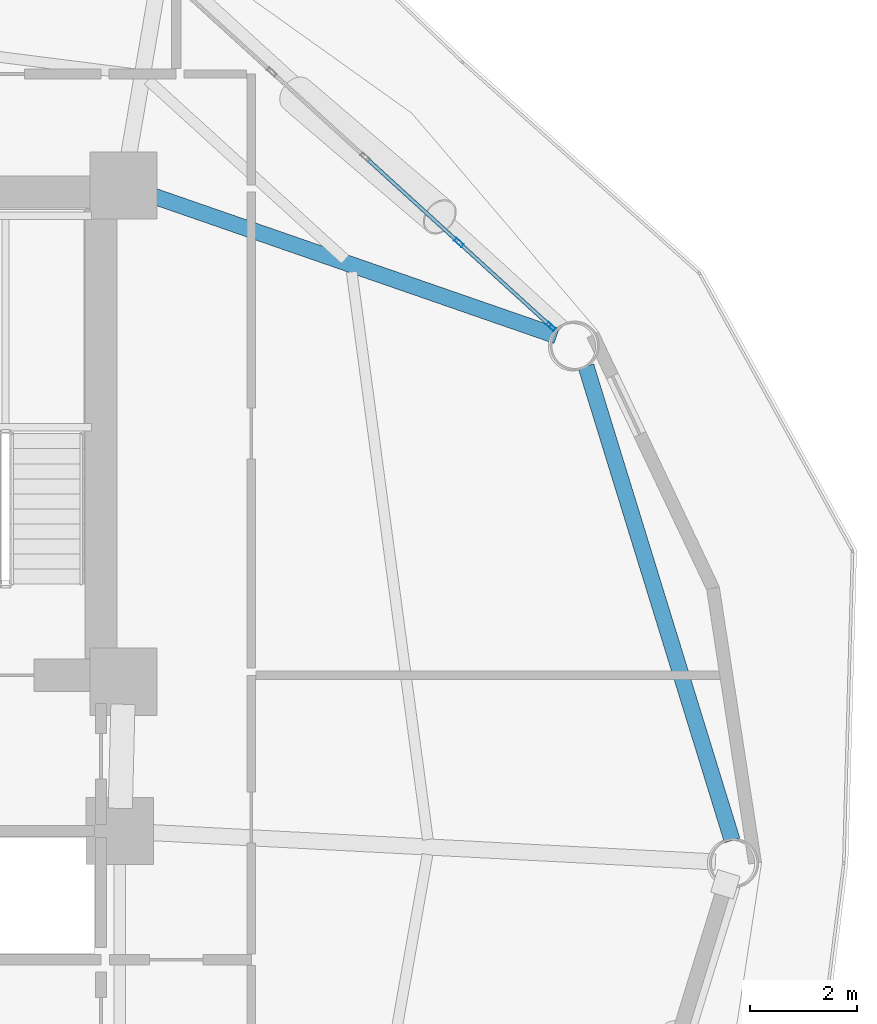
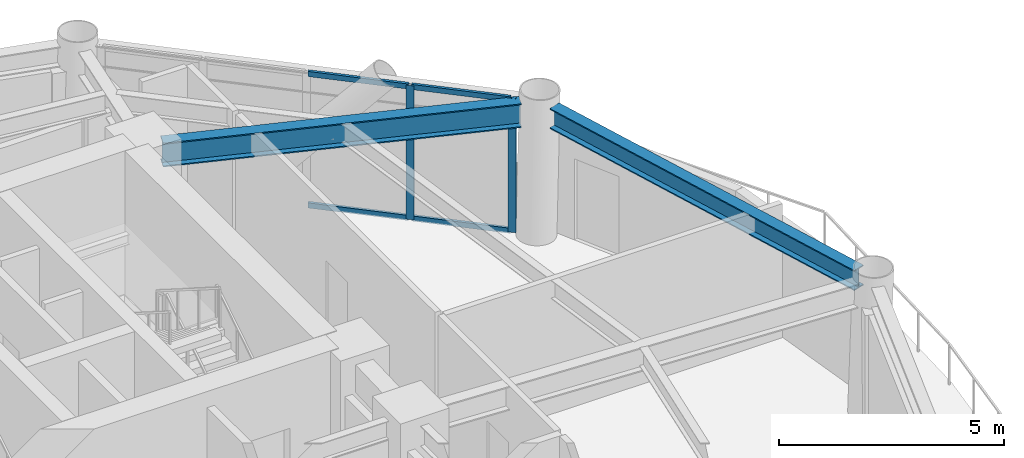
# One storey, part 14 of 25: 6 members, 2 beams, 1 element without a shape of its own.
"""IFC4 building model written with IfcOpenShell, lengths in metres."""

import ifcopenshell
import ifcopenshell.guid

model = None  # the IFC model being written
_history = None  # IfcOwnerHistory: only IFC2X3 demands one
_inside = {}  # id of a spatial element -> (the spatial element, [elements in it])
_under = {}  # id of a project, library or spatial element -> (it, [spatial elements below it])
_declared = {}  # id of a project -> (the project, [libraries it declares])
_typed = {}  # id of a type object -> (the type object, [elements of that type])
_made_of = {}  # id of a material, layer set ... -> (it, [elements and type objects made of it])


def new_model(schema):
    """Start an empty IFC model of exactly this schema.

    Asked for "IFC4X3", IfcOpenShell would pick the latest addendum, in which some entities
    have other attributes; the version numbers below select the first issue.
    IFC2X3 requires an IfcOwnerHistory on every rooted entity: one is made here for all.
    """
    global model, _history
    if schema == "IFC4X3":
        model = ifcopenshell.file(schema_version=(4, 3, 0, 0))
    else:
        model = ifcopenshell.file(schema=schema)
    _inside.clear()
    _under.clear()
    _declared.clear()
    _typed.clear()
    _made_of.clear()
    _history = None
    if model.schema == "IFC2X3":
        org = make("IfcOrganization", Name="unknown")
        user = make(
            "IfcPersonAndOrganization",
            ThePerson=make("IfcPerson", FamilyName="unknown"),
            TheOrganization=org,
        )
        app = make(
            "IfcApplication",
            ApplicationDeveloper=org,
            Version="unknown",
            ApplicationFullName="unknown",
            ApplicationIdentifier="unknown",
        )
        _history = make(
            "IfcOwnerHistory",
            OwningUser=user,
            OwningApplication=app,
            ChangeAction="ADDED",
            CreationDate=0,
        )
    return model


def make(cls, **values):
    """One entity of the class cls with the attributes given. An attribute that is None is left unset."""
    return model.create_entity(
        cls, **{name: value for name, value in values.items() if value is not None}
    )


def rooted(cls, **values):
    """An entity with a GlobalId (a new one), such as an element, a storey or a relation."""
    return make(cls, GlobalId=ifcopenshell.guid.new(), OwnerHistory=_history, **values)


def si_unit(unit_type, name, prefix=None):
    """IfcSIUnit, for example si_unit("LENGTHUNIT", "METRE", prefix="MILLI")."""
    return make("IfcSIUnit", UnitType=unit_type, Prefix=prefix, Name=name)


def assignment(units):
    """IfcUnitAssignment: the units of a project."""
    return None if units is None else make("IfcUnitAssignment", Units=units)


def point(xyz):
    """IfcCartesianPoint."""
    return None if xyz is None else make("IfcCartesianPoint", Coordinates=xyz)


def direction(xyz):
    """IfcDirection."""
    return None if xyz is None else make("IfcDirection", DirectionRatios=xyz)


def frame(location, z_axis=None, x_axis=None):
    """IfcAxis2Placement3D, a coordinate frame: its origin and axes. An axis left out is left unset."""
    return make(
        "IfcAxis2Placement3D",
        Location=point(location),
        Axis=direction(z_axis),
        RefDirection=direction(x_axis),
    )


def frame_2d(location, x_axis=None):
    """IfcAxis2Placement2D, a coordinate frame in the plane: its origin and x axis."""
    return make(
        "IfcAxis2Placement2D", Location=point(location), RefDirection=direction(x_axis)
    )


def origin():
    """The frame at (0, 0, 0) with its axes left unset."""
    return frame((0.0, 0.0, 0.0))


def origin_2d():
    """The frame at (0, 0) in the plane with its x axis left unset."""
    return frame_2d((0.0, 0.0))


def place(relative_to, where):
    """IfcLocalPlacement: puts the frame where relative to a parent placement (None: the world)."""
    return make(
        "IfcLocalPlacement", PlacementRelTo=relative_to, RelativePlacement=where
    )


def context(
    kind, dimensions, precision=None, world=None, true_north=None, identifier=None
):
    """IfcGeometricRepresentationContext, for example the 3D "Model" context."""
    return make(
        "IfcGeometricRepresentationContext",
        ContextIdentifier=identifier,
        ContextType=kind,
        CoordinateSpaceDimension=dimensions,
        Precision=precision,
        WorldCoordinateSystem=world,
        TrueNorth=true_north,
    )


def subcontext(parent, identifier, kind, view, scale=None):
    """IfcGeometricRepresentationSubContext, for example "Body" below "Model"."""
    return make(
        "IfcGeometricRepresentationSubContext",
        ContextIdentifier=identifier,
        ContextType=kind,
        ParentContext=parent,
        TargetScale=scale,
        TargetView=view,
    )


def project(units=None, contexts=None):
    """IfcProject with its units and contexts."""
    return rooted(
        "IfcProject",
        Name="project",
        RepresentationContexts=contexts,
        UnitsInContext=assignment(units),
    )


def spatial(cls, under=None, at=None, **own):
    """A site, building, storey or space (cls), placed at a placement, below another one or the project."""
    s = rooted(cls, ObjectPlacement=at, **own)
    if under is not None:
        _under.setdefault(under.id(), (under, []))[1].append(s)
    return s


def profile(cls, at=None, kind="AREA", **sizes):
    """A parametric profile (cls). Its sizes go by their IFC names, for example OverallWidth=200.0."""
    return make(cls, ProfileType=kind, Position=at, **sizes)


def hollow_rectangle(**sizes):
    """IfcRectangleHollowProfileDef."""
    return profile("IfcRectangleHollowProfileDef", **sizes)


def i_section(**sizes):
    """IfcIShapeProfileDef."""
    return profile("IfcIShapeProfileDef", **sizes)


def extrude(swept, where, along, depth):
    """IfcExtrudedAreaSolid: the profile swept, set in the frame where, extruded along a direction by depth."""
    return make(
        "IfcExtrudedAreaSolid",
        SweptArea=swept,
        Position=where,
        ExtrudedDirection=direction(along),
        Depth=depth,
    )


def shape(context_of_items, identifier, shape_type, items):
    """IfcShapeRepresentation: the items that make up one representation, for example the "Body"."""
    return make(
        "IfcShapeRepresentation",
        ContextOfItems=context_of_items,
        RepresentationIdentifier=identifier,
        RepresentationType=shape_type,
        Items=items,
    )


def material(Name=None, Category=None):
    """IfcMaterial."""
    return make("IfcMaterial", Name=Name, Category=Category)


def layer(
    of_material, thickness, ventilated=None, Name=None, Category=None, Priority=None
):
    """IfcMaterialLayer: one layer of a wall or slab, of a material (None: an air gap)."""
    return make(
        "IfcMaterialLayer",
        Material=of_material,
        LayerThickness=thickness,
        IsVentilated=ventilated,
        Name=Name,
        Category=Category,
        Priority=Priority,
    )


def layer_set(layers, Name=None):
    """IfcMaterialLayerSet."""
    return make("IfcMaterialLayerSet", MaterialLayers=layers, LayerSetName=Name)


def material_profile(
    of_material, cross_section, Name=None, Category=None, Priority=None
):
    """IfcMaterialProfile: a cross section and its material."""
    return make(
        "IfcMaterialProfile",
        Name=Name,
        Material=of_material,
        Profile=cross_section,
        Priority=Priority,
        Category=Category,
    )


def profile_set(profiles, Name=None, composite=None):
    """IfcMaterialProfileSet."""
    return make(
        "IfcMaterialProfileSet",
        Name=Name,
        MaterialProfiles=profiles,
        CompositeProfile=composite,
    )


def made_of(thing, what):
    """Note that an element or type object is made of a material, layer set ...; save() writes the relation."""
    if what is not None:
        _made_of.setdefault(what.id(), (what, []))[1].append(thing)
    return thing


def type_object(cls, material=None, **own):
    """A type object (cls), such as IfcWallType, which elements share."""
    return made_of(rooted(cls, **own), material)


def element(
    cls,
    number,
    at=None,
    inside=None,
    cuts=None,
    type_object=None,
    material=None,
    context=None,
    identifier="Body",
    shape_type=None,
    held_by="IfcProductDefinitionShape",
    body=None,
    shapes=None,
    **own,
):
    """One element of the class cls, such as IfcWall. Its Tag is "e" and its number.

    at: its placement. inside: the storey or other place that contains it. cuts: it is an
    opening in that element (IfcRelVoidsElement). A single representation is given by context,
    identifier, shape_type and body (its items); several are given by shapes. held_by: the class
    of the entity that holds the representations. save() writes the other relations.
    """
    e = rooted(cls, Tag="e%d" % number, ObjectPlacement=at, **own)
    if body is not None:
        shapes = [shape(context, identifier, shape_type, body)]
    if shapes is not None:
        e.Representation = make(held_by, Representations=shapes)
    if inside is not None:
        _inside.setdefault(inside.id(), (inside, []))[1].append(e)
    if cuts is not None:
        rooted(
            "IfcRelVoidsElement", RelatingBuildingElement=cuts, RelatedOpeningElement=e
        )
    if type_object is not None:
        _typed.setdefault(type_object.id(), (type_object, []))[1].append(e)
    return made_of(e, material)


def aggregate(whole, parts):
    """IfcRelAggregates: a whole, such as a stair, and the parts it consists of."""
    return rooted("IfcRelAggregates", RelatingObject=whole, RelatedObjects=parts)


def save(model, path):
    """Write the relations noted so far, then the file.

    IfcRelAggregates (storeys below a building ...), IfcRelContainedInSpatialStructure (elements
    in a storey), IfcRelDefinesByType, IfcRelAssociatesMaterial and IfcRelDeclares: one each for
    every whole, place, type object, material and project.
    """
    for whole, parts in _under.values():
        aggregate(whole, parts)
    for where, things in _inside.values():
        rooted(
            "IfcRelContainedInSpatialStructure",
            RelatedElements=things,
            RelatingStructure=where,
        )
    for kind, things in _typed.values():
        rooted("IfcRelDefinesByType", RelatedObjects=things, RelatingType=kind)
    for what, things in _made_of.values():
        rooted("IfcRelAssociatesMaterial", RelatedObjects=things, RelatingMaterial=what)
    for by, libraries in _declared.values():
        rooted("IfcRelDeclares", RelatingContext=by, RelatedDefinitions=libraries)
    model.write(path)


model = new_model("IFC4")

# Units and contexts
model_context = context("Model", 3, precision=1e-05, world=origin(), true_north=direction((0.0, 1.0)))
body_context = subcontext(model_context, "Body", "Model", "MODEL_VIEW")
ifc_project = project(units=[si_unit("LENGTHUNIT", "METRE"), si_unit("AREAUNIT", "SQUARE_METRE"), si_unit("VOLUMEUNIT", "CUBIC_METRE"), si_unit("PLANEANGLEUNIT", "RADIAN"), si_unit("MASSUNIT", "GRAM", prefix="KILO")], contexts=[model_context])

# Site, building, storey
site_placement = place(None, origin())
site = spatial("IfcSite", under=ifc_project, at=site_placement, CompositionType="ELEMENT")
building_placement = place(site_placement, origin())
building = spatial("IfcBuilding", under=site, at=building_placement, Name="Varnakorn Sky Granary", CompositionType="ELEMENT")
storey_placement = place(building_placement, frame((0.0, 0.0, 54.89990234375)))
storey = spatial("IfcBuildingStorey", under=building, at=storey_placement, Name="L13", CompositionType="ELEMENT", Elevation=54.89990234375)

# Beams
ifc_material_1 = material(Name="Steel S355JR", Category="steel")
ifc_material_profile_1 = material_profile(ifc_material_1, i_section(OverallWidth=0.300048828125, OverallDepth=0.64990234375, WebThickness=0.01611328125, FlangeThickness=0.031005859375, at=origin_2d()), Name="HE 650 B")
ifc_profile_set_1 = profile_set([ifc_material_profile_1], Name="Steel S355JR")
beam_type_1 = type_object("IfcBeamType", Name="BM-RAD-Z1", PredefinedType="BEAM", material=ifc_profile_set_1)
beam_1_placement = place(storey_placement, frame((8.81689453125, 12.482421875, 3.315185546875), z_axis=(0.944804678958, -0.3276341231, 0.0), x_axis=(0.3276341231, 0.944804678958, 0.0)))
element("IfcBeam", 1, at=beam_1_placement, inside=storey, type_object=beam_type_1, Name="Radial Floor Girder RG02 L13", PredefinedType="BEAM", context=body_context, shape_type="SweptSolid", body=[
    extrude(i_section(OverallWidth=0.300048828125, OverallDepth=0.64990234375, WebThickness=0.01611328125, FlangeThickness=0.031005859375, at=origin_2d()), origin(), (0.0, 0.0, 1.0), 8.119384765625),
])
ifc_material_profile_2 = material_profile(ifc_material_1, i_section(OverallWidth=0.300048828125, OverallDepth=0.550048828125, WebThickness=0.014892578125, FlangeThickness=0.029052734375, at=origin_2d()), Name="HE 550 B")
ifc_profile_set_2 = profile_set([ifc_material_profile_2], Name="Steel S355JR")
beam_type_2 = type_object("IfcBeamType", Name="BM-SPD-Z1", PredefinedType="SPANDREL", material=ifc_profile_set_2)
beam_2_placement = place(storey_placement, frame((19.7578125, 0.42236328125, 3.364990234375), z_axis=(-0.294496032873, 0.955652701886, 0.0), x_axis=(-0.955652701886, -0.294496032873, 0.0)))
element("IfcBeam", 2, at=beam_2_placement, inside=storey, type_object=beam_type_2, Name="Perimeter Spandrel Ring Beam RB01 L13", PredefinedType="SPANDREL", context=body_context, shape_type="SweptSolid", body=[
    extrude(i_section(OverallWidth=0.300048828125, OverallDepth=0.550048828125, WebThickness=0.014892578125, FlangeThickness=0.029052734375, at=origin_2d()), origin(), (0.0, 0.0, 1.0), 9.24267578125),
])

# Curtain wall, members
ifc_material_2 = material(Name="Anodised Bronze Aluminium Alloy 6063-T6", Category="aluminium")
ifc_layer = layer(ifc_material_2, 0.18994140625, Name="Anodised Bronze Aluminium Alloy 6063-T6")
ifc_layer_set = layer_set([ifc_layer], Name="Anodised Bronze Aluminium Alloy 6063-T6")
curtain_wall_type = type_object("IfcCurtainWallType", Name="CW-FRM-1", PredefinedType="USERDEFINED", material=ifc_layer_set)
curtain_wall_placement = place(storey_placement, origin())
curtain_wall = element("IfcCurtainWall", 3, at=curtain_wall_placement, inside=storey, type_object=curtain_wall_type, Name="Unitised Curtain Wall CW3 CW-L13-B02", ObjectType="CURTAIN WALL", PredefinedType="USERDEFINED")
ifc_material_profile_3 = material_profile(ifc_material_2, hollow_rectangle(XDim=0.070068359375, YDim=0.18505859375, WallThickness=0.00390625, at=origin_2d()), Name="ALU MULL 70x185")
ifc_profile_set_3 = profile_set([ifc_material_profile_3], Name="Anodised Bronze Aluminium Alloy 6063-T6")
member_type_1 = type_object("IfcMemberType", Name="CW-FRM-1-MULL", PredefinedType="MULLION", material=ifc_profile_set_3)
member_1_placement = place(storey_placement, frame((14.666015625, 11.561767578125, 0.0), z_axis=(0.0, 0.0, 1.0), x_axis=(0.673686552194, 0.739017205072, 0.0)))
member_1 = element("IfcMember", 4, at=member_1_placement, type_object=member_type_1, Name="CW3 mullion 4", PredefinedType="MULLION", context=body_context, shape_type="SweptSolid", body=[
    extrude(hollow_rectangle(XDim=0.070068359375, YDim=0.18505859375, WallThickness=0.00390625, at=origin_2d()), origin(), (0.0, 0.0, 1.0), 3.64013671875),
])
member_2_placement = place(storey_placement, frame((16.381591796875, 9.997802734375, 0.0), z_axis=(0.0, 0.0, 1.0), x_axis=(0.673686552194, 0.739017205072, 0.0)))
member_2 = element("IfcMember", 5, at=member_2_placement, type_object=member_type_1, Name="CW3 mullion 5", PredefinedType="MULLION", context=body_context, shape_type="SweptSolid", body=[
    extrude(hollow_rectangle(XDim=0.070068359375, YDim=0.18505859375, WallThickness=0.00390625, at=origin_2d()), origin(), (0.0, 0.0, 1.0), 3.64013671875),
])
ifc_material_profile_4 = material_profile(ifc_material_2, hollow_rectangle(XDim=0.070068359375, YDim=0.139892578125, WallThickness=0.00341796875, at=origin_2d()), Name="ALU TRAN 70x140")
ifc_profile_set_4 = profile_set([ifc_material_profile_4], Name="Anodised Bronze Aluminium Alloy 6063-T6")
member_type_2 = type_object("IfcMemberType", Name="CW-FRM-1-TRAN", PredefinedType="USERDEFINED", material=ifc_profile_set_4)
member_3_placement = place(storey_placement, frame((12.950439453125, 13.125732421875, 0.03515625), z_axis=(0.739026202882, -0.673676681691, 0.0), x_axis=(0.673676681691, 0.739026202882, 0.0)))
member_3 = element("IfcMember", 6, at=member_3_placement, type_object=member_type_2, Name="CW3 transom 3.1", ObjectType="TRANSOM", PredefinedType="USERDEFINED", context=body_context, shape_type="SweptSolid", body=[
    extrude(hollow_rectangle(XDim=0.070068359375, YDim=0.139892578125, WallThickness=0.00341796875, at=origin_2d()), origin(), (0.0, 0.0, 1.0), 2.286376953125),
])
member_4_placement = place(storey_placement, frame((12.950439453125, 13.125732421875, 3.60498046875), z_axis=(0.739026202882, -0.673676681691, 0.0), x_axis=(0.673676681691, 0.739026202882, 0.0)))
member_4 = element("IfcMember", 7, at=member_4_placement, type_object=member_type_2, Name="CW3 transom 3.2", ObjectType="TRANSOM", PredefinedType="USERDEFINED", context=body_context, shape_type="SweptSolid", body=[
    extrude(hollow_rectangle(XDim=0.070068359375, YDim=0.139892578125, WallThickness=0.00341796875, at=origin_2d()), origin(), (0.0, 0.0, 1.0), 2.286376953125),
])
member_5_placement = place(storey_placement, frame((14.69189453125, 11.538330078125, 0.03515625), z_axis=(0.738992363836, -0.673713801396, 0.0), x_axis=(0.673713801396, 0.738992363836, 0.0)))
member_5 = element("IfcMember", 8, at=member_5_placement, type_object=member_type_2, Name="CW3 transom 4.1", ObjectType="TRANSOM", PredefinedType="USERDEFINED", context=body_context, shape_type="SweptSolid", body=[
    extrude(hollow_rectangle(XDim=0.070068359375, YDim=0.139892578125, WallThickness=0.00341796875, at=origin_2d()), origin(), (0.0, 0.0, 1.0), 2.25146484375),
])
member_6_placement = place(storey_placement, frame((14.69189453125, 11.538330078125, 3.60498046875), z_axis=(0.738992363836, -0.673713801396, 0.0), x_axis=(0.673713801396, 0.738992363836, 0.0)))
member_6 = element("IfcMember", 9, at=member_6_placement, type_object=member_type_2, Name="CW3 transom 4.2", ObjectType="TRANSOM", PredefinedType="USERDEFINED", context=body_context, shape_type="SweptSolid", body=[
    extrude(hollow_rectangle(XDim=0.070068359375, YDim=0.139892578125, WallThickness=0.00341796875, at=origin_2d()), origin(), (0.0, 0.0, 1.0), 2.25146484375),
])
aggregate(curtain_wall, [member_1, member_2, member_3, member_4, member_5, member_6])

save(model, "model.ifc")
